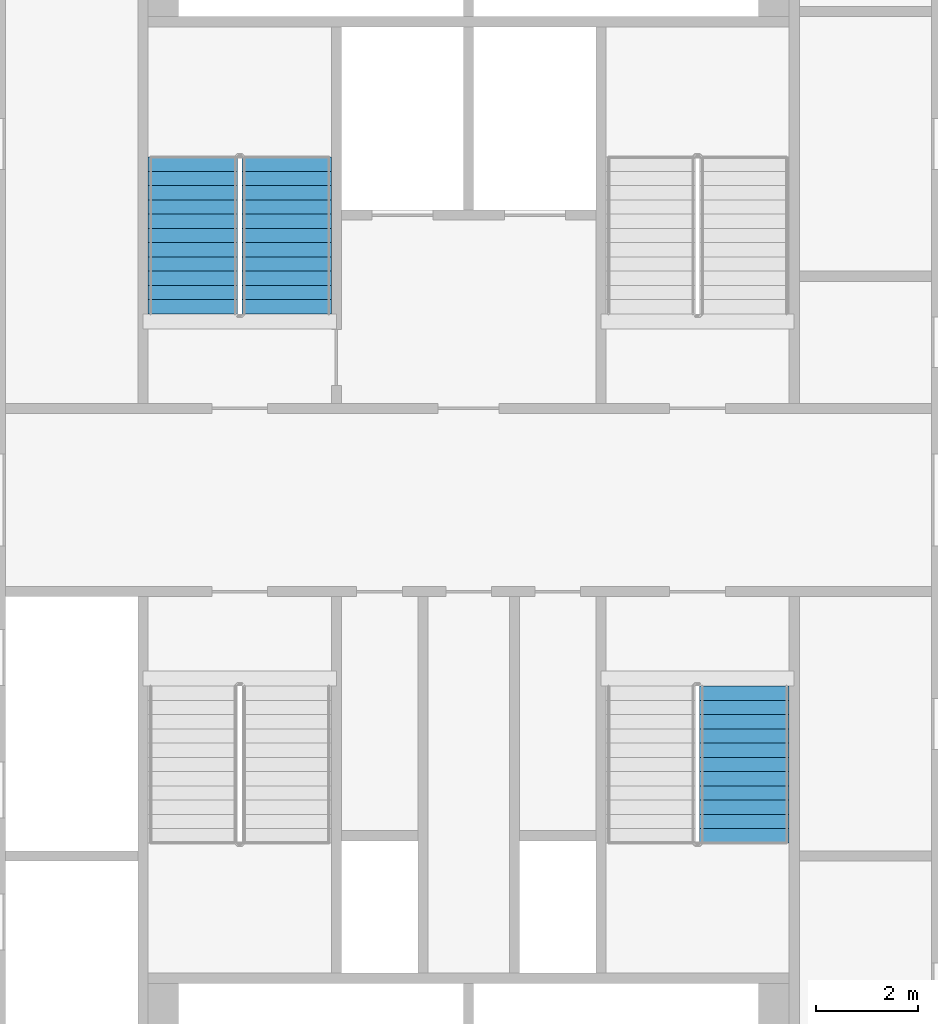
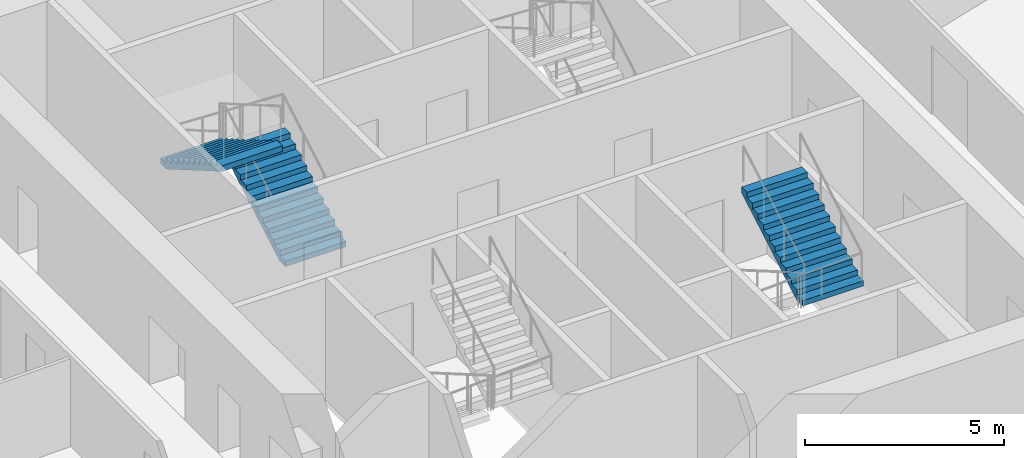
# One storey, part 9 of 15: 3 stair flights, 2 elements without a shape of their own.
"""IFC4 building model written with IfcOpenShell, lengths in metres."""

from ifc_helpers import new_model, si_unit, direction, frame, origin, place, context, subcontext, project, spatial, faceted_brep, material, type_object, element, aggregate, save


model = new_model("IFC4")

# Units and contexts
model_context = context("Model", 3, precision=1e-05, world=origin(), true_north=direction((0.0, 1.0)))
body_context = subcontext(model_context, "Body", "Model", "MODEL_VIEW")
ifc_project = project(units=[si_unit("LENGTHUNIT", "METRE"), si_unit("AREAUNIT", "SQUARE_METRE"), si_unit("VOLUMEUNIT", "CUBIC_METRE"), si_unit("PLANEANGLEUNIT", "RADIAN"), si_unit("MASSUNIT", "GRAM", prefix="KILO")], contexts=[model_context])

# Site, building, storey
site_placement = place(None, origin())
site = spatial("IfcSite", under=ifc_project, at=site_placement, CompositionType="ELEMENT")
building_placement = place(site_placement, origin())
building = spatial("IfcBuilding", under=site, at=building_placement, Name="Tarsis Ring Headquarters", CompositionType="ELEMENT")
storey_placement = place(building_placement, frame((0.0, 0.0, 43.89990234375)))
storey = spatial("IfcBuildingStorey", under=building, at=storey_placement, Name="L08", CompositionType="ELEMENT", Elevation=43.89990234375)

# Stair, stair flights
ifc_material_1 = material(Name="Core stair 1760")
stair_type = type_object("IfcStairType", Name="Core stair 1760", PredefinedType="HALF_TURN_STAIR", material=ifc_material_1)
stair_1_placement = place(storey_placement, origin())
stair_1 = element("IfcStair", 1, at=stair_1_placement, inside=storey, type_object=stair_type, Name="L08 Firefighting stair", PredefinedType="HALF_TURN_STAIR")
ifc_material_2 = material(Name="Concrete C40/50", Category="concrete")
stair_flight_type = type_object("IfcStairFlightType", Name="Core stair flight 1760", PredefinedType="STRAIGHT", material=ifc_material_2)
stair_flight_1_placement = place(storey_placement, frame((-3.580078125, 3.659912109375, 0.0), z_axis=(0.0, 0.0, 1.0), x_axis=(0.0, 1.0, 0.0)))
stair_flight_1 = element("IfcStairFlight", 2, at=stair_flight_1_placement, type_object=stair_flight_type, Name="Stair ST1 flight 1", NumberOfRisers=12, NumberOfTreads=11, PredefinedType="STRAIGHT", RiserHeight=0.1625, TreadLength=0.28, context=body_context, shape_type="Brep", body=[
    faceted_brep([(0.0, 0.8798828125, 0.0), (0.0, 0.8798828125, 0.16259765625), (0.280029296875, 0.8798828125, 0.16259765625), (0.280029296875, 0.8798828125, 0.324951171875), (0.56005859375, 0.8798828125, 0.324951171875), (0.56005859375, 0.8798828125, 0.487548828125), (0.840087890625, 0.8798828125, 0.487548828125), (0.840087890625, 0.8798828125, 0.64990234375), (1.1201171875, 0.8798828125, 0.64990234375), (1.1201171875, 0.8798828125, 0.8125), (1.39990234375, 0.8798828125, 0.8125), (1.39990234375, 0.8798828125, 0.97509765625), (1.679931640625, 0.8798828125, 0.97509765625), (1.679931640625, 0.8798828125, 1.137451171875), (1.9599609375, 0.8798828125, 1.137451171875), (1.9599609375, 0.8798828125, 1.300048828125), (2.239990234375, 0.8798828125, 1.300048828125), (2.239990234375, 0.8798828125, 1.46240234375), (2.52001953125, 0.8798828125, 1.46240234375), (2.52001953125, 0.8798828125, 1.625), (2.800048828125, 0.8798828125, 1.625), (2.800048828125, 0.8798828125, 1.78759765625), (3.080078125, 0.8798828125, 1.78759765625), (3.080078125, 0.8798828125, 1.6142578125), (0.298583984375, 0.8798828125, 0.0), (0.298583984375, -0.8798828125, 0.0), (3.080078125, -0.8798828125, 1.6142578125), (3.080078125, -0.8798828125, 1.78759765625), (2.800048828125, -0.8798828125, 1.78759765625), (2.800048828125, -0.8798828125, 1.625), (2.52001953125, -0.8798828125, 1.625), (2.52001953125, -0.8798828125, 1.46240234375), (2.239990234375, -0.8798828125, 1.46240234375), (2.239990234375, -0.8798828125, 1.300048828125), (1.9599609375, -0.8798828125, 1.300048828125), (1.9599609375, -0.8798828125, 1.137451171875), (1.679931640625, -0.8798828125, 1.137451171875), (1.679931640625, -0.8798828125, 0.97509765625), (1.39990234375, -0.8798828125, 0.97509765625), (1.39990234375, -0.8798828125, 0.8125), (1.1201171875, -0.8798828125, 0.8125), (1.1201171875, -0.8798828125, 0.64990234375), (0.840087890625, -0.8798828125, 0.64990234375), (0.840087890625, -0.8798828125, 0.487548828125), (0.56005859375, -0.8798828125, 0.487548828125), (0.56005859375, -0.8798828125, 0.324951171875), (0.280029296875, -0.8798828125, 0.324951171875), (0.280029296875, -0.8798828125, 0.16259765625), (0.0, -0.8798828125, 0.16259765625), (0.0, -0.8798828125, 0.0), (0.0, -0.43994140625, 0.16259765625), (0.0, -0.43994140625, 0.0), (0.0, 0.0, 0.16259765625), (0.0, 0.0, 0.0), (0.0, 0.43994140625, 0.16259765625), (0.0, 0.43994140625, 0.0), (0.280029296875, -0.43994140625, 0.16259765625), (0.280029296875, 0.0, 0.16259765625), (0.280029296875, 0.43994140625, 0.16259765625), (0.280029296875, -0.43994140625, 0.324951171875), (0.280029296875, 0.0, 0.324951171875), (0.280029296875, 0.43994140625, 0.324951171875), (0.56005859375, -0.43994140625, 0.324951171875), (0.56005859375, 0.0, 0.324951171875), (0.56005859375, 0.43994140625, 0.324951171875), (0.56005859375, -0.43994140625, 0.487548828125), (0.56005859375, 0.0, 0.487548828125), (0.56005859375, 0.43994140625, 0.487548828125), (0.840087890625, -0.43994140625, 0.487548828125), (0.840087890625, 0.0, 0.487548828125), (0.840087890625, 0.43994140625, 0.487548828125), (0.840087890625, -0.43994140625, 0.64990234375), (0.840087890625, 0.0, 0.64990234375), (0.840087890625, 0.43994140625, 0.64990234375), (1.1201171875, -0.43994140625, 0.64990234375), (1.1201171875, 0.0, 0.64990234375), (1.1201171875, 0.43994140625, 0.64990234375), (1.1201171875, -0.43994140625, 0.8125), (1.1201171875, 0.0, 0.8125), (1.1201171875, 0.43994140625, 0.8125), (1.39990234375, -0.43994140625, 0.8125), (1.39990234375, 0.0, 0.8125), (1.39990234375, 0.43994140625, 0.8125), (1.39990234375, -0.43994140625, 0.97509765625), (1.39990234375, 0.0, 0.97509765625), (1.39990234375, 0.43994140625, 0.97509765625), (1.679931640625, -0.43994140625, 0.97509765625), (1.679931640625, 0.0, 0.97509765625), (1.679931640625, 0.43994140625, 0.97509765625), (1.679931640625, -0.43994140625, 1.137451171875), (1.679931640625, 0.0, 1.137451171875), (1.679931640625, 0.43994140625, 1.137451171875), (1.9599609375, -0.43994140625, 1.137451171875), (1.9599609375, 0.0, 1.137451171875), (1.9599609375, 0.43994140625, 1.137451171875), (1.9599609375, -0.43994140625, 1.300048828125), (1.9599609375, 0.0, 1.300048828125), (1.9599609375, 0.43994140625, 1.300048828125), (2.239990234375, -0.43994140625, 1.300048828125), (2.239990234375, 0.0, 1.300048828125), (2.239990234375, 0.43994140625, 1.300048828125), (2.239990234375, -0.43994140625, 1.46240234375), (2.239990234375, 0.0, 1.46240234375), (2.239990234375, 0.43994140625, 1.46240234375), (2.52001953125, -0.43994140625, 1.46240234375), (2.52001953125, 0.0, 1.46240234375), (2.52001953125, 0.43994140625, 1.46240234375), (2.52001953125, -0.43994140625, 1.625), (2.52001953125, 0.0, 1.625), (2.52001953125, 0.43994140625, 1.625), (2.800048828125, -0.43994140625, 1.625), (2.800048828125, 0.0, 1.625), (2.800048828125, 0.43994140625, 1.625), (2.800048828125, -0.43994140625, 1.78759765625), (2.800048828125, 0.0, 1.78759765625), (2.800048828125, 0.43994140625, 1.78759765625), (3.080078125, -0.43994140625, 1.78759765625), (3.080078125, 0.0, 1.78759765625), (3.080078125, 0.43994140625, 1.78759765625), (3.080078125, -0.43994140625, 1.6142578125), (3.080078125, 0.0, 1.6142578125), (3.080078125, 0.43994140625, 1.6142578125), (0.298583984375, -0.43994140625, 0.0), (0.298583984375, 0.0, 0.0), (0.298583984375, 0.43994140625, 0.0)], [[[0, 1, 2, 3, 4, 5, 6, 7, 8, 9, 10, 11, 12, 13, 14, 15, 16, 17, 18, 19, 20, 21, 22, 23, 24]], [[25, 26, 27, 28, 29, 30, 31, 32, 33, 34, 35, 36, 37, 38, 39, 40, 41, 42, 43, 44, 45, 46, 47, 48, 49]], [[49, 48, 50, 51]], [[51, 50, 52, 53]], [[53, 52, 54, 55]], [[55, 54, 1, 0]], [[48, 47, 56, 50]], [[50, 56, 57, 52]], [[52, 57, 58, 54]], [[54, 58, 2, 1]], [[47, 46, 59, 56]], [[56, 59, 60, 57]], [[57, 60, 61, 58]], [[58, 61, 3, 2]], [[46, 45, 62, 59]], [[59, 62, 63, 60]], [[60, 63, 64, 61]], [[61, 64, 4, 3]], [[45, 44, 65, 62]], [[62, 65, 66, 63]], [[63, 66, 67, 64]], [[64, 67, 5, 4]], [[44, 43, 68, 65]], [[65, 68, 69, 66]], [[66, 69, 70, 67]], [[67, 70, 6, 5]], [[43, 42, 71, 68]], [[68, 71, 72, 69]], [[69, 72, 73, 70]], [[70, 73, 7, 6]], [[42, 41, 74, 71]], [[71, 74, 75, 72]], [[72, 75, 76, 73]], [[73, 76, 8, 7]], [[41, 40, 77, 74]], [[74, 77, 78, 75]], [[75, 78, 79, 76]], [[76, 79, 9, 8]], [[40, 39, 80, 77]], [[77, 80, 81, 78]], [[78, 81, 82, 79]], [[79, 82, 10, 9]], [[39, 38, 83, 80]], [[80, 83, 84, 81]], [[81, 84, 85, 82]], [[82, 85, 11, 10]], [[38, 37, 86, 83]], [[83, 86, 87, 84]], [[84, 87, 88, 85]], [[85, 88, 12, 11]], [[37, 36, 89, 86]], [[86, 89, 90, 87]], [[87, 90, 91, 88]], [[88, 91, 13, 12]], [[36, 35, 92, 89]], [[89, 92, 93, 90]], [[90, 93, 94, 91]], [[91, 94, 14, 13]], [[35, 34, 95, 92]], [[92, 95, 96, 93]], [[93, 96, 97, 94]], [[94, 97, 15, 14]], [[34, 33, 98, 95]], [[95, 98, 99, 96]], [[96, 99, 100, 97]], [[97, 100, 16, 15]], [[33, 32, 101, 98]], [[98, 101, 102, 99]], [[99, 102, 103, 100]], [[100, 103, 17, 16]], [[32, 31, 104, 101]], [[101, 104, 105, 102]], [[102, 105, 106, 103]], [[103, 106, 18, 17]], [[31, 30, 107, 104]], [[104, 107, 108, 105]], [[105, 108, 109, 106]], [[106, 109, 19, 18]], [[30, 29, 110, 107]], [[107, 110, 111, 108]], [[108, 111, 112, 109]], [[109, 112, 20, 19]], [[29, 28, 113, 110]], [[110, 113, 114, 111]], [[111, 114, 115, 112]], [[112, 115, 21, 20]], [[28, 27, 116, 113]], [[113, 116, 117, 114]], [[114, 117, 118, 115]], [[115, 118, 22, 21]], [[27, 26, 119, 116]], [[116, 119, 120, 117]], [[117, 120, 121, 118]], [[118, 121, 23, 22]], [[26, 25, 122, 119]], [[119, 122, 123, 120]], [[120, 123, 124, 121]], [[121, 124, 24, 23]], [[25, 49, 51, 122]], [[122, 51, 53, 123]], [[123, 53, 55, 124]], [[124, 55, 0, 24]]]),
])
stair_flight_2_placement = place(storey_placement, frame((-5.419921875, 6.739990234375, 1.9501953125), z_axis=(0.0, 0.0, 1.0), x_axis=(0.0, -1.0, 0.0)))
stair_flight_2 = element("IfcStairFlight", 3, at=stair_flight_2_placement, type_object=stair_flight_type, Name="Stair ST1 flight 2", NumberOfRisers=12, NumberOfTreads=11, PredefinedType="STRAIGHT", RiserHeight=0.1625, TreadLength=0.28, context=body_context, shape_type="Brep", body=[
    faceted_brep([(0.0, 0.8798828125, 0.0), (0.0, 0.8798828125, 0.16259765625), (0.280029296875, 0.8798828125, 0.16259765625), (0.280029296875, 0.8798828125, 0.324951171875), (0.56005859375, 0.8798828125, 0.324951171875), (0.56005859375, 0.8798828125, 0.487548828125), (0.840087890625, 0.8798828125, 0.487548828125), (0.840087890625, 0.8798828125, 0.64990234375), (1.1201171875, 0.8798828125, 0.64990234375), (1.1201171875, 0.8798828125, 0.8125), (1.39990234375, 0.8798828125, 0.8125), (1.39990234375, 0.8798828125, 0.97509765625), (1.679931640625, 0.8798828125, 0.97509765625), (1.679931640625, 0.8798828125, 1.137451171875), (1.9599609375, 0.8798828125, 1.137451171875), (1.9599609375, 0.8798828125, 1.300048828125), (2.239990234375, 0.8798828125, 1.300048828125), (2.239990234375, 0.8798828125, 1.46240234375), (2.52001953125, 0.8798828125, 1.46240234375), (2.52001953125, 0.8798828125, 1.625), (2.800048828125, 0.8798828125, 1.625), (2.800048828125, 0.8798828125, 1.78759765625), (3.080078125, 0.8798828125, 1.78759765625), (3.080078125, 0.8798828125, 1.6142578125), (0.298583984375, 0.8798828125, 0.0), (0.298583984375, -0.8798828125, 0.0), (3.080078125, -0.8798828125, 1.6142578125), (3.080078125, -0.8798828125, 1.78759765625), (2.800048828125, -0.8798828125, 1.78759765625), (2.800048828125, -0.8798828125, 1.625), (2.52001953125, -0.8798828125, 1.625), (2.52001953125, -0.8798828125, 1.46240234375), (2.239990234375, -0.8798828125, 1.46240234375), (2.239990234375, -0.8798828125, 1.300048828125), (1.9599609375, -0.8798828125, 1.300048828125), (1.9599609375, -0.8798828125, 1.137451171875), (1.679931640625, -0.8798828125, 1.137451171875), (1.679931640625, -0.8798828125, 0.97509765625), (1.39990234375, -0.8798828125, 0.97509765625), (1.39990234375, -0.8798828125, 0.8125), (1.1201171875, -0.8798828125, 0.8125), (1.1201171875, -0.8798828125, 0.64990234375), (0.840087890625, -0.8798828125, 0.64990234375), (0.840087890625, -0.8798828125, 0.487548828125), (0.56005859375, -0.8798828125, 0.487548828125), (0.56005859375, -0.8798828125, 0.324951171875), (0.280029296875, -0.8798828125, 0.324951171875), (0.280029296875, -0.8798828125, 0.16259765625), (0.0, -0.8798828125, 0.16259765625), (0.0, -0.8798828125, 0.0), (0.0, -0.43994140625, 0.16259765625), (0.0, -0.43994140625, 0.0), (0.0, 0.0, 0.16259765625), (0.0, 0.0, 0.0), (0.0, 0.43994140625, 0.16259765625), (0.0, 0.43994140625, 0.0), (0.280029296875, -0.43994140625, 0.16259765625), (0.280029296875, 0.0, 0.16259765625), (0.280029296875, 0.43994140625, 0.16259765625), (0.280029296875, -0.43994140625, 0.324951171875), (0.280029296875, 0.0, 0.324951171875), (0.280029296875, 0.43994140625, 0.324951171875), (0.56005859375, -0.43994140625, 0.324951171875), (0.56005859375, 0.0, 0.324951171875), (0.56005859375, 0.43994140625, 0.324951171875), (0.56005859375, -0.43994140625, 0.487548828125), (0.56005859375, 0.0, 0.487548828125), (0.56005859375, 0.43994140625, 0.487548828125), (0.840087890625, -0.43994140625, 0.487548828125), (0.840087890625, 0.0, 0.487548828125), (0.840087890625, 0.43994140625, 0.487548828125), (0.840087890625, -0.43994140625, 0.64990234375), (0.840087890625, 0.0, 0.64990234375), (0.840087890625, 0.43994140625, 0.64990234375), (1.1201171875, -0.43994140625, 0.64990234375), (1.1201171875, 0.0, 0.64990234375), (1.1201171875, 0.43994140625, 0.64990234375), (1.1201171875, -0.43994140625, 0.8125), (1.1201171875, 0.0, 0.8125), (1.1201171875, 0.43994140625, 0.8125), (1.39990234375, -0.43994140625, 0.8125), (1.39990234375, 0.0, 0.8125), (1.39990234375, 0.43994140625, 0.8125), (1.39990234375, -0.43994140625, 0.97509765625), (1.39990234375, 0.0, 0.97509765625), (1.39990234375, 0.43994140625, 0.97509765625), (1.679931640625, -0.43994140625, 0.97509765625), (1.679931640625, 0.0, 0.97509765625), (1.679931640625, 0.43994140625, 0.97509765625), (1.679931640625, -0.43994140625, 1.137451171875), (1.679931640625, 0.0, 1.137451171875), (1.679931640625, 0.43994140625, 1.137451171875), (1.9599609375, -0.43994140625, 1.137451171875), (1.9599609375, 0.0, 1.137451171875), (1.9599609375, 0.43994140625, 1.137451171875), (1.9599609375, -0.43994140625, 1.300048828125), (1.9599609375, 0.0, 1.300048828125), (1.9599609375, 0.43994140625, 1.300048828125), (2.239990234375, -0.43994140625, 1.300048828125), (2.239990234375, 0.0, 1.300048828125), (2.239990234375, 0.43994140625, 1.300048828125), (2.239990234375, -0.43994140625, 1.46240234375), (2.239990234375, 0.0, 1.46240234375), (2.239990234375, 0.43994140625, 1.46240234375), (2.52001953125, -0.43994140625, 1.46240234375), (2.52001953125, 0.0, 1.46240234375), (2.52001953125, 0.43994140625, 1.46240234375), (2.52001953125, -0.43994140625, 1.625), (2.52001953125, 0.0, 1.625), (2.52001953125, 0.43994140625, 1.625), (2.800048828125, -0.43994140625, 1.625), (2.800048828125, 0.0, 1.625), (2.800048828125, 0.43994140625, 1.625), (2.800048828125, -0.43994140625, 1.78759765625), (2.800048828125, 0.0, 1.78759765625), (2.800048828125, 0.43994140625, 1.78759765625), (3.080078125, -0.43994140625, 1.78759765625), (3.080078125, 0.0, 1.78759765625), (3.080078125, 0.43994140625, 1.78759765625), (3.080078125, -0.43994140625, 1.6142578125), (3.080078125, 0.0, 1.6142578125), (3.080078125, 0.43994140625, 1.6142578125), (0.298583984375, -0.43994140625, 0.0), (0.298583984375, 0.0, 0.0), (0.298583984375, 0.43994140625, 0.0)], [[[0, 1, 2, 3, 4, 5, 6, 7, 8, 9, 10, 11, 12, 13, 14, 15, 16, 17, 18, 19, 20, 21, 22, 23, 24]], [[25, 26, 27, 28, 29, 30, 31, 32, 33, 34, 35, 36, 37, 38, 39, 40, 41, 42, 43, 44, 45, 46, 47, 48, 49]], [[49, 48, 50, 51]], [[51, 50, 52, 53]], [[53, 52, 54, 55]], [[55, 54, 1, 0]], [[48, 47, 56, 50]], [[50, 56, 57, 52]], [[52, 57, 58, 54]], [[54, 58, 2, 1]], [[47, 46, 59, 56]], [[56, 59, 60, 57]], [[57, 60, 61, 58]], [[58, 61, 3, 2]], [[46, 45, 62, 59]], [[59, 62, 63, 60]], [[60, 63, 64, 61]], [[61, 64, 4, 3]], [[45, 44, 65, 62]], [[62, 65, 66, 63]], [[63, 66, 67, 64]], [[64, 67, 5, 4]], [[44, 43, 68, 65]], [[65, 68, 69, 66]], [[66, 69, 70, 67]], [[67, 70, 6, 5]], [[43, 42, 71, 68]], [[68, 71, 72, 69]], [[69, 72, 73, 70]], [[70, 73, 7, 6]], [[42, 41, 74, 71]], [[71, 74, 75, 72]], [[72, 75, 76, 73]], [[73, 76, 8, 7]], [[41, 40, 77, 74]], [[74, 77, 78, 75]], [[75, 78, 79, 76]], [[76, 79, 9, 8]], [[40, 39, 80, 77]], [[77, 80, 81, 78]], [[78, 81, 82, 79]], [[79, 82, 10, 9]], [[39, 38, 83, 80]], [[80, 83, 84, 81]], [[81, 84, 85, 82]], [[82, 85, 11, 10]], [[38, 37, 86, 83]], [[83, 86, 87, 84]], [[84, 87, 88, 85]], [[85, 88, 12, 11]], [[37, 36, 89, 86]], [[86, 89, 90, 87]], [[87, 90, 91, 88]], [[88, 91, 13, 12]], [[36, 35, 92, 89]], [[89, 92, 93, 90]], [[90, 93, 94, 91]], [[91, 94, 14, 13]], [[35, 34, 95, 92]], [[92, 95, 96, 93]], [[93, 96, 97, 94]], [[94, 97, 15, 14]], [[34, 33, 98, 95]], [[95, 98, 99, 96]], [[96, 99, 100, 97]], [[97, 100, 16, 15]], [[33, 32, 101, 98]], [[98, 101, 102, 99]], [[99, 102, 103, 100]], [[100, 103, 17, 16]], [[32, 31, 104, 101]], [[101, 104, 105, 102]], [[102, 105, 106, 103]], [[103, 106, 18, 17]], [[31, 30, 107, 104]], [[104, 107, 108, 105]], [[105, 108, 109, 106]], [[106, 109, 19, 18]], [[30, 29, 110, 107]], [[107, 110, 111, 108]], [[108, 111, 112, 109]], [[109, 112, 20, 19]], [[29, 28, 113, 110]], [[110, 113, 114, 111]], [[111, 114, 115, 112]], [[112, 115, 21, 20]], [[28, 27, 116, 113]], [[113, 116, 117, 114]], [[114, 117, 118, 115]], [[115, 118, 22, 21]], [[27, 26, 119, 116]], [[116, 119, 120, 117]], [[117, 120, 121, 118]], [[118, 121, 23, 22]], [[26, 25, 122, 119]], [[119, 122, 123, 120]], [[120, 123, 124, 121]], [[121, 124, 24, 23]], [[25, 49, 51, 122]], [[122, 51, 53, 123]], [[123, 53, 55, 124]], [[124, 55, 0, 24]]]),
])
aggregate(stair_1, [stair_flight_1, stair_flight_2])

# Stair, stair flight
stair_2_placement = place(storey_placement, origin())
stair_2 = element("IfcStair", 4, at=stair_2_placement, inside=storey, type_object=stair_type, Name="L08 Exit stair D", PredefinedType="HALF_TURN_STAIR")
stair_flight_3_placement = place(storey_placement, frame((5.419921875, -6.739990234375, 1.9501953125), z_axis=(0.0, 0.0, 1.0), x_axis=(0.0, 1.0, 0.0)))
stair_flight_3 = element("IfcStairFlight", 5, at=stair_flight_3_placement, type_object=stair_flight_type, Name="Stair ST4 flight 2", NumberOfRisers=12, NumberOfTreads=11, PredefinedType="STRAIGHT", RiserHeight=0.1625, TreadLength=0.28, context=body_context, shape_type="Brep", body=[
    faceted_brep([(0.0, 0.8798828125, 0.0), (0.0, 0.8798828125, 0.16259765625), (0.280029296875, 0.8798828125, 0.16259765625), (0.280029296875, 0.8798828125, 0.324951171875), (0.56005859375, 0.8798828125, 0.324951171875), (0.56005859375, 0.8798828125, 0.487548828125), (0.840087890625, 0.8798828125, 0.487548828125), (0.840087890625, 0.8798828125, 0.64990234375), (1.1201171875, 0.8798828125, 0.64990234375), (1.1201171875, 0.8798828125, 0.8125), (1.39990234375, 0.8798828125, 0.8125), (1.39990234375, 0.8798828125, 0.97509765625), (1.679931640625, 0.8798828125, 0.97509765625), (1.679931640625, 0.8798828125, 1.137451171875), (1.9599609375, 0.8798828125, 1.137451171875), (1.9599609375, 0.8798828125, 1.300048828125), (2.239990234375, 0.8798828125, 1.300048828125), (2.239990234375, 0.8798828125, 1.46240234375), (2.52001953125, 0.8798828125, 1.46240234375), (2.52001953125, 0.8798828125, 1.625), (2.800048828125, 0.8798828125, 1.625), (2.800048828125, 0.8798828125, 1.78759765625), (3.080078125, 0.8798828125, 1.78759765625), (3.080078125, 0.8798828125, 1.6142578125), (0.298583984375, 0.8798828125, 0.0), (0.298583984375, -0.8798828125, 0.0), (3.080078125, -0.8798828125, 1.6142578125), (3.080078125, -0.8798828125, 1.78759765625), (2.800048828125, -0.8798828125, 1.78759765625), (2.800048828125, -0.8798828125, 1.625), (2.52001953125, -0.8798828125, 1.625), (2.52001953125, -0.8798828125, 1.46240234375), (2.239990234375, -0.8798828125, 1.46240234375), (2.239990234375, -0.8798828125, 1.300048828125), (1.9599609375, -0.8798828125, 1.300048828125), (1.9599609375, -0.8798828125, 1.137451171875), (1.679931640625, -0.8798828125, 1.137451171875), (1.679931640625, -0.8798828125, 0.97509765625), (1.39990234375, -0.8798828125, 0.97509765625), (1.39990234375, -0.8798828125, 0.8125), (1.1201171875, -0.8798828125, 0.8125), (1.1201171875, -0.8798828125, 0.64990234375), (0.840087890625, -0.8798828125, 0.64990234375), (0.840087890625, -0.8798828125, 0.487548828125), (0.56005859375, -0.8798828125, 0.487548828125), (0.56005859375, -0.8798828125, 0.324951171875), (0.280029296875, -0.8798828125, 0.324951171875), (0.280029296875, -0.8798828125, 0.16259765625), (0.0, -0.8798828125, 0.16259765625), (0.0, -0.8798828125, 0.0), (0.0, -0.43994140625, 0.16259765625), (0.0, -0.43994140625, 0.0), (0.0, 0.0, 0.16259765625), (0.0, 0.0, 0.0), (0.0, 0.43994140625, 0.16259765625), (0.0, 0.43994140625, 0.0), (0.280029296875, -0.43994140625, 0.16259765625), (0.280029296875, 0.0, 0.16259765625), (0.280029296875, 0.43994140625, 0.16259765625), (0.280029296875, -0.43994140625, 0.324951171875), (0.280029296875, 0.0, 0.324951171875), (0.280029296875, 0.43994140625, 0.324951171875), (0.56005859375, -0.43994140625, 0.324951171875), (0.56005859375, 0.0, 0.324951171875), (0.56005859375, 0.43994140625, 0.324951171875), (0.56005859375, -0.43994140625, 0.487548828125), (0.56005859375, 0.0, 0.487548828125), (0.56005859375, 0.43994140625, 0.487548828125), (0.840087890625, -0.43994140625, 0.487548828125), (0.840087890625, 0.0, 0.487548828125), (0.840087890625, 0.43994140625, 0.487548828125), (0.840087890625, -0.43994140625, 0.64990234375), (0.840087890625, 0.0, 0.64990234375), (0.840087890625, 0.43994140625, 0.64990234375), (1.1201171875, -0.43994140625, 0.64990234375), (1.1201171875, 0.0, 0.64990234375), (1.1201171875, 0.43994140625, 0.64990234375), (1.1201171875, -0.43994140625, 0.8125), (1.1201171875, 0.0, 0.8125), (1.1201171875, 0.43994140625, 0.8125), (1.39990234375, -0.43994140625, 0.8125), (1.39990234375, 0.0, 0.8125), (1.39990234375, 0.43994140625, 0.8125), (1.39990234375, -0.43994140625, 0.97509765625), (1.39990234375, 0.0, 0.97509765625), (1.39990234375, 0.43994140625, 0.97509765625), (1.679931640625, -0.43994140625, 0.97509765625), (1.679931640625, 0.0, 0.97509765625), (1.679931640625, 0.43994140625, 0.97509765625), (1.679931640625, -0.43994140625, 1.137451171875), (1.679931640625, 0.0, 1.137451171875), (1.679931640625, 0.43994140625, 1.137451171875), (1.9599609375, -0.43994140625, 1.137451171875), (1.9599609375, 0.0, 1.137451171875), (1.9599609375, 0.43994140625, 1.137451171875), (1.9599609375, -0.43994140625, 1.300048828125), (1.9599609375, 0.0, 1.300048828125), (1.9599609375, 0.43994140625, 1.300048828125), (2.239990234375, -0.43994140625, 1.300048828125), (2.239990234375, 0.0, 1.300048828125), (2.239990234375, 0.43994140625, 1.300048828125), (2.239990234375, -0.43994140625, 1.46240234375), (2.239990234375, 0.0, 1.46240234375), (2.239990234375, 0.43994140625, 1.46240234375), (2.52001953125, -0.43994140625, 1.46240234375), (2.52001953125, 0.0, 1.46240234375), (2.52001953125, 0.43994140625, 1.46240234375), (2.52001953125, -0.43994140625, 1.625), (2.52001953125, 0.0, 1.625), (2.52001953125, 0.43994140625, 1.625), (2.800048828125, -0.43994140625, 1.625), (2.800048828125, 0.0, 1.625), (2.800048828125, 0.43994140625, 1.625), (2.800048828125, -0.43994140625, 1.78759765625), (2.800048828125, 0.0, 1.78759765625), (2.800048828125, 0.43994140625, 1.78759765625), (3.080078125, -0.43994140625, 1.78759765625), (3.080078125, 0.0, 1.78759765625), (3.080078125, 0.43994140625, 1.78759765625), (3.080078125, -0.43994140625, 1.6142578125), (3.080078125, 0.0, 1.6142578125), (3.080078125, 0.43994140625, 1.6142578125), (0.298583984375, -0.43994140625, 0.0), (0.298583984375, 0.0, 0.0), (0.298583984375, 0.43994140625, 0.0)], [[[0, 1, 2, 3, 4, 5, 6, 7, 8, 9, 10, 11, 12, 13, 14, 15, 16, 17, 18, 19, 20, 21, 22, 23, 24]], [[25, 26, 27, 28, 29, 30, 31, 32, 33, 34, 35, 36, 37, 38, 39, 40, 41, 42, 43, 44, 45, 46, 47, 48, 49]], [[49, 48, 50, 51]], [[51, 50, 52, 53]], [[53, 52, 54, 55]], [[55, 54, 1, 0]], [[48, 47, 56, 50]], [[50, 56, 57, 52]], [[52, 57, 58, 54]], [[54, 58, 2, 1]], [[47, 46, 59, 56]], [[56, 59, 60, 57]], [[57, 60, 61, 58]], [[58, 61, 3, 2]], [[46, 45, 62, 59]], [[59, 62, 63, 60]], [[60, 63, 64, 61]], [[61, 64, 4, 3]], [[45, 44, 65, 62]], [[62, 65, 66, 63]], [[63, 66, 67, 64]], [[64, 67, 5, 4]], [[44, 43, 68, 65]], [[65, 68, 69, 66]], [[66, 69, 70, 67]], [[67, 70, 6, 5]], [[43, 42, 71, 68]], [[68, 71, 72, 69]], [[69, 72, 73, 70]], [[70, 73, 7, 6]], [[42, 41, 74, 71]], [[71, 74, 75, 72]], [[72, 75, 76, 73]], [[73, 76, 8, 7]], [[41, 40, 77, 74]], [[74, 77, 78, 75]], [[75, 78, 79, 76]], [[76, 79, 9, 8]], [[40, 39, 80, 77]], [[77, 80, 81, 78]], [[78, 81, 82, 79]], [[79, 82, 10, 9]], [[39, 38, 83, 80]], [[80, 83, 84, 81]], [[81, 84, 85, 82]], [[82, 85, 11, 10]], [[38, 37, 86, 83]], [[83, 86, 87, 84]], [[84, 87, 88, 85]], [[85, 88, 12, 11]], [[37, 36, 89, 86]], [[86, 89, 90, 87]], [[87, 90, 91, 88]], [[88, 91, 13, 12]], [[36, 35, 92, 89]], [[89, 92, 93, 90]], [[90, 93, 94, 91]], [[91, 94, 14, 13]], [[35, 34, 95, 92]], [[92, 95, 96, 93]], [[93, 96, 97, 94]], [[94, 97, 15, 14]], [[34, 33, 98, 95]], [[95, 98, 99, 96]], [[96, 99, 100, 97]], [[97, 100, 16, 15]], [[33, 32, 101, 98]], [[98, 101, 102, 99]], [[99, 102, 103, 100]], [[100, 103, 17, 16]], [[32, 31, 104, 101]], [[101, 104, 105, 102]], [[102, 105, 106, 103]], [[103, 106, 18, 17]], [[31, 30, 107, 104]], [[104, 107, 108, 105]], [[105, 108, 109, 106]], [[106, 109, 19, 18]], [[30, 29, 110, 107]], [[107, 110, 111, 108]], [[108, 111, 112, 109]], [[109, 112, 20, 19]], [[29, 28, 113, 110]], [[110, 113, 114, 111]], [[111, 114, 115, 112]], [[112, 115, 21, 20]], [[28, 27, 116, 113]], [[113, 116, 117, 114]], [[114, 117, 118, 115]], [[115, 118, 22, 21]], [[27, 26, 119, 116]], [[116, 119, 120, 117]], [[117, 120, 121, 118]], [[118, 121, 23, 22]], [[26, 25, 122, 119]], [[119, 122, 123, 120]], [[120, 123, 124, 121]], [[121, 124, 24, 23]], [[25, 49, 51, 122]], [[122, 51, 53, 123]], [[123, 53, 55, 124]], [[124, 55, 0, 24]]]),
])
aggregate(stair_2, [stair_flight_3])

save(model, "model.ifc")
